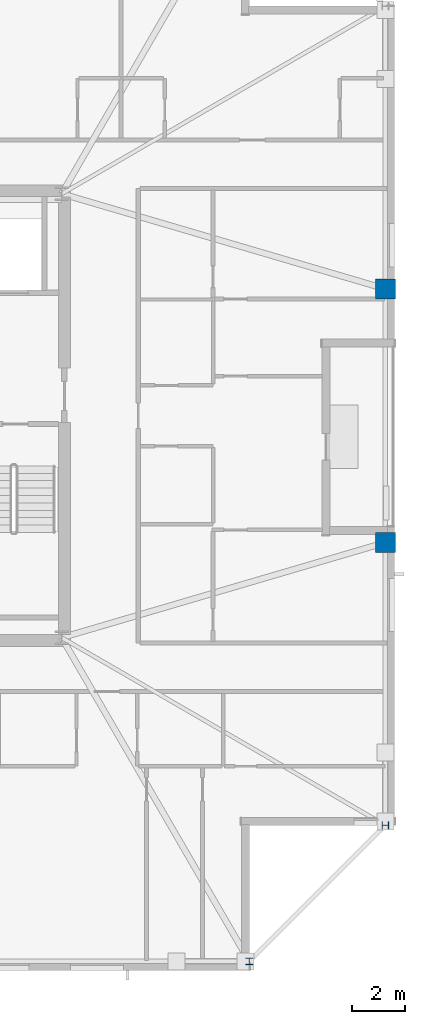
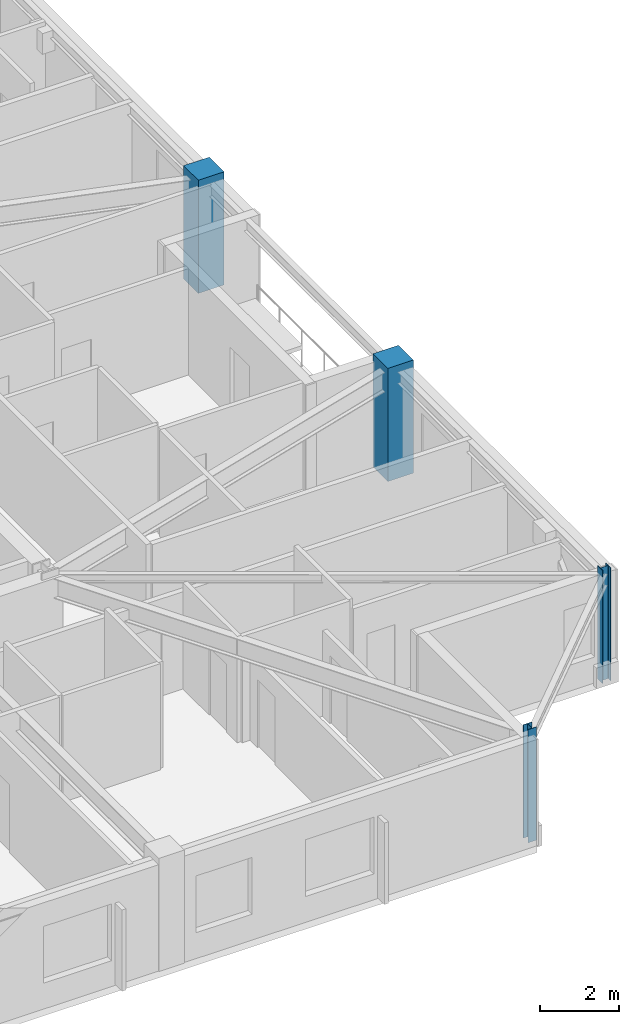
# One storey, part 3 of 14: 4 columns.
"""IFC4 building model written with IfcOpenShell, lengths in metres."""

from ifc_helpers import new_model, si_unit, direction, frame, origin, origin_2d, place, context, subcontext, project, spatial, rectangle, i_section, extrude, material, material_profile, profile_set, type_object, element, save


model = new_model("IFC4")

# Units and contexts
model_context = context("Model", 3, precision=1e-05, world=origin(), true_north=direction((0.0, 1.0)))
body_context = subcontext(model_context, "Body", "Model", "MODEL_VIEW")
ifc_project = project(units=[si_unit("LENGTHUNIT", "METRE"), si_unit("AREAUNIT", "SQUARE_METRE"), si_unit("VOLUMEUNIT", "CUBIC_METRE"), si_unit("PLANEANGLEUNIT", "RADIAN"), si_unit("MASSUNIT", "GRAM", prefix="KILO")], contexts=[model_context])

# Site, building, storey
site_placement = place(None, origin())
site = spatial("IfcSite", under=ifc_project, at=site_placement, CompositionType="ELEMENT")
building_placement = place(site_placement, origin())
building = spatial("IfcBuilding", under=site, at=building_placement, Name="Cairnveth Concourse Tower", CompositionType="ELEMENT")
storey_placement = place(building_placement, frame((0.0, 0.0, 301.5)))
storey = spatial("IfcBuildingStorey", under=building, at=storey_placement, Name="L83", CompositionType="ELEMENT", Elevation=301.5)

# Columns
ifc_material_1 = material(Name="Concrete N50 (50 MPa)", Category="concrete")
ifc_material_profile_1 = material_profile(ifc_material_1, rectangle(XDim=0.75, YDim=0.75, at=origin_2d()), Name="RC-COL-750x750")
ifc_profile_set_1 = profile_set([ifc_material_profile_1], Name="Concrete N50 (50 MPa)")
column_type_1 = type_object("IfcColumnType", Name="PERIMETER PIER COLUMN 750X750", PredefinedType="COLUMN", material=ifc_profile_set_1)
for number, where, z_axis, x_axis, name in (
    (1, (72.64990234375, 34.199951171875, 0.0), (0.0, 0.0, 1.0), (0.0, 1.0, 0.0), "Column P-E2 L83"),
    (2, (72.64990234375, 43.800048828125, 0.0), (0.0, 0.0, 1.0), (0.0, 1.0, 0.0), "Column P-E3 L83"),
):
    element("IfcColumn", number, at=place(storey_placement, frame(where, z_axis=z_axis, x_axis=x_axis)), inside=storey, type_object=column_type_1, Name=name, PredefinedType="COLUMN", context=body_context, shape_type="SweptSolid", body=[
        extrude(rectangle(XDim=0.75, YDim=0.75, at=origin_2d()), origin(), (0.0, 0.0, 1.0), 3.5),
    ])
ifc_material_2 = material(Name="Steel Grade 350", Category="steel")
ifc_material_profile_2 = material_profile(ifc_material_2, i_section(OverallWidth=0.25390625, OverallDepth=0.25390625, WebThickness=0.008544921875, FlangeThickness=0.01416015625, FilletRadius=0.012939453125, at=origin_2d()), Name="250UC72.9")
ifc_profile_set_2 = profile_set([ifc_material_profile_2], Name="Steel Grade 350")
column_type_2 = type_object("IfcColumnType", Name="UNIVERSAL STEEL COLUMN 250UC72.9", PredefinedType="COLUMN", material=ifc_profile_set_2)
for number, where, z_axis, x_axis, name in (
    (3, (67.5, 18.35009765625, 0.0), (0.0, 0.0, 1.0), (1.0, 0.0, 0.0), "Column P-S4 L83"),
    (4, (72.64990234375, 23.5, 0.0), (0.0, 0.0, 1.0), (0.0, 1.0, 0.0), "Column P-E1 L83"),
):
    element("IfcColumn", number, at=place(storey_placement, frame(where, z_axis=z_axis, x_axis=x_axis)), inside=storey, type_object=column_type_2, Name=name, PredefinedType="COLUMN", context=body_context, shape_type="SweptSolid", body=[
        extrude(i_section(OverallWidth=0.25390625, OverallDepth=0.25390625, WebThickness=0.008544921875, FlangeThickness=0.01416015625, FilletRadius=0.012939453125, at=origin_2d()), origin(), (0.0, 0.0, 1.0), 3.5),
    ])

save(model, "model.ifc")
